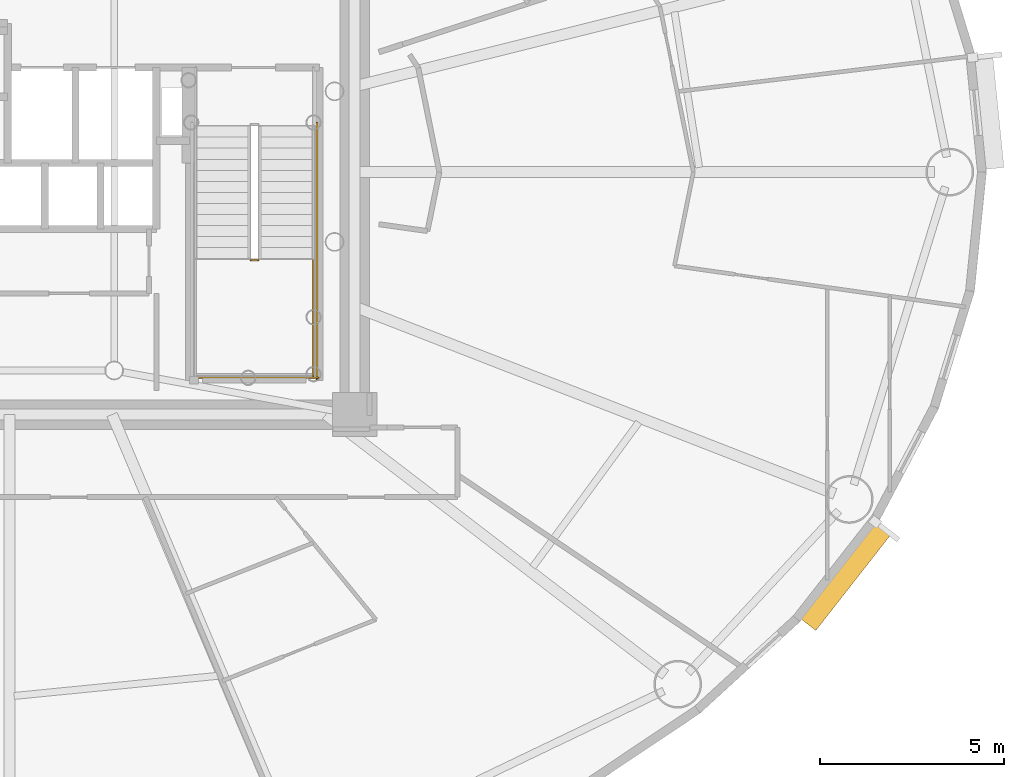
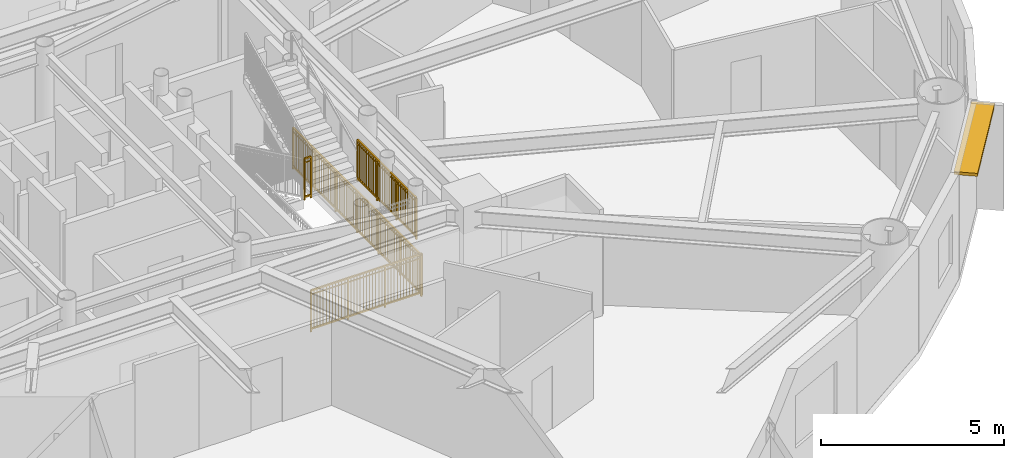
# One storey, part 16 of 18: 4 railings, 1 shading device.
"""IFC4 building model written with IfcOpenShell, lengths in metres."""

from ifc_helpers import new_model, si_unit, direction, frame, origin, origin_2d, place, context, subcontext, project, spatial, rectangle, extrude, source, transform, mapped, material, layer, layer_set, type_object, element, save


model = new_model("IFC4")

# Units and contexts
model_context = context("Model", 3, precision=1e-05, world=origin(), true_north=direction((0.0, 1.0)))
body_context = subcontext(model_context, "Body", "Model", "MODEL_VIEW")
ifc_project = project(units=[si_unit("LENGTHUNIT", "METRE"), si_unit("AREAUNIT", "SQUARE_METRE"), si_unit("VOLUMEUNIT", "CUBIC_METRE"), si_unit("PLANEANGLEUNIT", "RADIAN"), si_unit("MASSUNIT", "GRAM", prefix="KILO")], contexts=[model_context])

# Site, building, storey
site_placement = place(None, origin())
site = spatial("IfcSite", under=ifc_project, at=site_placement, CompositionType="ELEMENT")
building_placement = place(site_placement, origin())
building = spatial("IfcBuilding", under=site, at=building_placement, Name="Linh Dai School and Residence Tower", CompositionType="ELEMENT")
storey_placement = place(building_placement, frame((0.0, 0.0, 159.89990234375)))
storey = spatial("IfcBuildingStorey", under=building, at=storey_placement, Name="L38", CompositionType="ELEMENT", Elevation=159.89990234375)

# Shading device
ifc_material_1 = material(Name="Terracotta Ceramic Sunshade", Category="masonry")
ifc_layer = layer(ifc_material_1, 0.10009765625)
ifc_layer_set = layer_set([ifc_layer], Name="Terracotta Ceramic Sunshade")
shading_device_type = type_object("IfcShadingDeviceType", Name="SHD-TC-650", PredefinedType="USERDEFINED", material=ifc_layer_set)
shared_shape_1 = source(origin(), body_context, "Body", "SweptSolid", [
    extrude(rectangle(XDim=3.376708984375, YDim=0.64990234375, at=origin_2d()), origin(), (0.0, 0.0, 1.0), 0.10009765625),
])
shading_device_placement = place(storey_placement, frame((58.736572265625, 16.05078125, 3.380126953125), z_axis=(0.0, 0.0, 1.0), x_axis=(-0.616286337798, -0.787522158319, 0.0)))
element("IfcShadingDevice", 1, at=shading_device_placement, inside=storey, type_object=shading_device_type, Name="L38 Terracotta Horizontal Sunshade Band 37", ObjectType="SUNSHADE", PredefinedType="USERDEFINED", context=body_context, shape_type="MappedRepresentation", body=[
    mapped(shared_shape_1, transform((0.0, 0.0, 0.0), x_axis=(1.0, 0.0, 0.0), y_axis=(0.0, 1.0, 0.0), z_axis=(0.0, 0.0, 1.0), scale=1.0)),
])

# Railings
ifc_material_2 = material(Name="Structural Steel S355JR", Category="steel")
railing_type = type_object("IfcRailingType", Name="RL-ST-GUARD-1400", PredefinedType="GUARDRAIL", material=ifc_material_2)
shared_shape_2 = source(origin(), body_context, "Body", "SweptSolid", [
    extrude(rectangle(XDim=0.048095703125, YDim=0.048095703125, at=origin_2d()), frame((0.0, 0.0, 1.3759765625), z_axis=(1.0, 0.0, 0.0), x_axis=(0.0, 1.0, 0.0)), (0.0, 0.0, 1.0), 0.199951171875),
    extrude(rectangle(XDim=0.048095703125, YDim=0.048095703125, at=origin_2d()), frame((0.0, 0.0, 0.10009765625), z_axis=(1.0, 0.0, 0.0), x_axis=(0.0, 1.0, 0.0)), (0.0, 0.0, 1.0), 0.199951171875),
    extrude(rectangle(XDim=0.030029296875, YDim=0.030029296875, at=origin_2d()), frame((0.0, 0.0, 1.239990234375), z_axis=(1.0, 0.0, 0.0), x_axis=(0.0, 1.0, 0.0)), (0.0, 0.0, 1.0), 0.199951171875),
    extrude(rectangle(XDim=0.0419921875, YDim=0.0419921875, at=origin_2d()), origin(), (0.0, 0.0, 1.0), 1.3759765625),
    extrude(rectangle(XDim=0.0419921875, YDim=0.0419921875, at=origin_2d()), frame((0.199951171875, 0.0, 0.0)), (0.0, 0.0, 1.0), 1.3759765625),
])
railing_1_placement = place(storey_placement, frame((42.570068359375, 24.60009765625, 1.875)))
element("IfcRailing", 2, at=railing_1_placement, inside=storey, type_object=railing_type, Name="L38 ST2 stair guard 2", PredefinedType="GUARDRAIL", context=body_context, shape_type="MappedRepresentation", body=[
    mapped(shared_shape_2, transform((0.0, 0.0, 0.0), x_axis=(1.0, 0.0, 0.0), y_axis=(0.0, 1.0, 0.0), z_axis=(0.0, 0.0, 1.0), scale=1.0)),
])
shared_shape_3 = source(origin(), body_context, "Body", "SweptSolid", [
    extrude(rectangle(XDim=0.048095703125, YDim=0.048095703125, at=origin_2d()), frame((0.0, 0.0, 1.3759765625), z_axis=(0.0, -1.0, 0.0), x_axis=(1.0, 0.0, 0.0)), (0.0, 0.0, 1.0), 7.0),
    extrude(rectangle(XDim=0.048095703125, YDim=0.048095703125, at=origin_2d()), frame((0.0, 0.0, 0.10009765625), z_axis=(0.0, -1.0, 0.0), x_axis=(1.0, 0.0, 0.0)), (0.0, 0.0, 1.0), 7.0),
    extrude(rectangle(XDim=0.030029296875, YDim=0.030029296875, at=origin_2d()), frame((0.0, 0.0, 1.239990234375), z_axis=(0.0, -1.0, 0.0), x_axis=(1.0, 0.0, 0.0)), (0.0, 0.0, 1.0), 7.0),
    extrude(rectangle(XDim=0.02001953125, YDim=0.02001953125, at=origin_2d()), frame((0.0, -0.09716796875, 0.10009765625)), (0.0, 0.0, 1.0), 1.251708984375),
    extrude(rectangle(XDim=0.02001953125, YDim=0.02001953125, at=origin_2d()), frame((0.0, -0.1943359375, 0.10009765625)), (0.0, 0.0, 1.0), 1.251708984375),
    extrude(rectangle(XDim=0.02001953125, YDim=0.02001953125, at=origin_2d()), frame((0.0, -0.291748046875, 0.10009765625)), (0.0, 0.0, 1.0), 1.251708984375),
    extrude(rectangle(XDim=0.02001953125, YDim=0.02001953125, at=origin_2d()), frame((0.0, -0.388916015625, 0.10009765625)), (0.0, 0.0, 1.0), 1.251708984375),
    extrude(rectangle(XDim=0.02001953125, YDim=0.02001953125, at=origin_2d()), frame((0.0, -0.486083984375, 0.10009765625)), (0.0, 0.0, 1.0), 1.251708984375),
    extrude(rectangle(XDim=0.02001953125, YDim=0.02001953125, at=origin_2d()), frame((0.0, -0.583251953125, 0.10009765625)), (0.0, 0.0, 1.0), 1.251708984375),
    extrude(rectangle(XDim=0.02001953125, YDim=0.02001953125, at=origin_2d()), frame((0.0, -0.6806640625, 0.10009765625)), (0.0, 0.0, 1.0), 1.251708984375),
    extrude(rectangle(XDim=0.02001953125, YDim=0.02001953125, at=origin_2d()), frame((0.0, -0.77783203125, 0.10009765625)), (0.0, 0.0, 1.0), 1.251708984375),
    extrude(rectangle(XDim=0.02001953125, YDim=0.02001953125, at=origin_2d()), frame((0.0, -0.875, 0.10009765625)), (0.0, 0.0, 1.0), 1.251708984375),
    extrude(rectangle(XDim=0.02001953125, YDim=0.02001953125, at=origin_2d()), frame((0.0, -0.97216796875, 0.10009765625)), (0.0, 0.0, 1.0), 1.251708984375),
    extrude(rectangle(XDim=0.02001953125, YDim=0.02001953125, at=origin_2d()), frame((0.0, -1.0693359375, 0.10009765625)), (0.0, 0.0, 1.0), 1.251708984375),
    extrude(rectangle(XDim=0.02001953125, YDim=0.02001953125, at=origin_2d()), frame((0.0, -1.263916015625, 0.10009765625)), (0.0, 0.0, 1.0), 1.251708984375),
    extrude(rectangle(XDim=0.02001953125, YDim=0.02001953125, at=origin_2d()), frame((0.0, -1.361083984375, 0.10009765625)), (0.0, 0.0, 1.0), 1.251708984375),
    extrude(rectangle(XDim=0.02001953125, YDim=0.02001953125, at=origin_2d()), frame((0.0, -1.458251953125, 0.10009765625)), (0.0, 0.0, 1.0), 1.251708984375),
    extrude(rectangle(XDim=0.02001953125, YDim=0.02001953125, at=origin_2d()), frame((0.0, -1.5556640625, 0.10009765625)), (0.0, 0.0, 1.0), 1.251708984375),
    extrude(rectangle(XDim=0.02001953125, YDim=0.02001953125, at=origin_2d()), frame((0.0, -1.65283203125, 0.10009765625)), (0.0, 0.0, 1.0), 1.251708984375),
    extrude(rectangle(XDim=0.02001953125, YDim=0.02001953125, at=origin_2d()), frame((0.0, -1.75, 0.10009765625)), (0.0, 0.0, 1.0), 1.251708984375),
    extrude(rectangle(XDim=0.02001953125, YDim=0.02001953125, at=origin_2d()), frame((0.0, -1.84716796875, 0.10009765625)), (0.0, 0.0, 1.0), 1.251708984375),
    extrude(rectangle(XDim=0.02001953125, YDim=0.02001953125, at=origin_2d()), frame((0.0, -1.9443359375, 0.10009765625)), (0.0, 0.0, 1.0), 1.251708984375),
    extrude(rectangle(XDim=0.02001953125, YDim=0.02001953125, at=origin_2d()), frame((0.0, -2.041748046875, 0.10009765625)), (0.0, 0.0, 1.0), 1.251708984375),
    extrude(rectangle(XDim=0.02001953125, YDim=0.02001953125, at=origin_2d()), frame((0.0, -2.138916015625, 0.10009765625)), (0.0, 0.0, 1.0), 1.251708984375),
    extrude(rectangle(XDim=0.02001953125, YDim=0.02001953125, at=origin_2d()), frame((0.0, -2.236083984375, 0.10009765625)), (0.0, 0.0, 1.0), 1.251708984375),
    extrude(rectangle(XDim=0.02001953125, YDim=0.02001953125, at=origin_2d()), frame((0.0, -2.4306640625, 0.10009765625)), (0.0, 0.0, 1.0), 1.251708984375),
    extrude(rectangle(XDim=0.02001953125, YDim=0.02001953125, at=origin_2d()), frame((0.0, -2.52783203125, 0.10009765625)), (0.0, 0.0, 1.0), 1.251708984375),
    extrude(rectangle(XDim=0.02001953125, YDim=0.02001953125, at=origin_2d()), frame((0.0, -2.625, 0.10009765625)), (0.0, 0.0, 1.0), 1.251708984375),
    extrude(rectangle(XDim=0.02001953125, YDim=0.02001953125, at=origin_2d()), frame((0.0, -2.72216796875, 0.10009765625)), (0.0, 0.0, 1.0), 1.251708984375),
    extrude(rectangle(XDim=0.02001953125, YDim=0.02001953125, at=origin_2d()), frame((0.0, -2.8193359375, 0.10009765625)), (0.0, 0.0, 1.0), 1.251708984375),
    extrude(rectangle(XDim=0.02001953125, YDim=0.02001953125, at=origin_2d()), frame((0.0, -2.916748046875, 0.10009765625)), (0.0, 0.0, 1.0), 1.251708984375),
    extrude(rectangle(XDim=0.02001953125, YDim=0.02001953125, at=origin_2d()), frame((0.0, -3.013916015625, 0.10009765625)), (0.0, 0.0, 1.0), 1.251708984375),
    extrude(rectangle(XDim=0.02001953125, YDim=0.02001953125, at=origin_2d()), frame((0.0, -3.111083984375, 0.10009765625)), (0.0, 0.0, 1.0), 1.251708984375),
    extrude(rectangle(XDim=0.02001953125, YDim=0.02001953125, at=origin_2d()), frame((0.0, -3.208251953125, 0.10009765625)), (0.0, 0.0, 1.0), 1.251708984375),
    extrude(rectangle(XDim=0.02001953125, YDim=0.02001953125, at=origin_2d()), frame((0.0, -3.3056640625, 0.10009765625)), (0.0, 0.0, 1.0), 1.251708984375),
    extrude(rectangle(XDim=0.02001953125, YDim=0.02001953125, at=origin_2d()), frame((0.0, -3.40283203125, 0.10009765625)), (0.0, 0.0, 1.0), 1.251708984375),
    extrude(rectangle(XDim=0.02001953125, YDim=0.02001953125, at=origin_2d()), frame((0.0, -3.59716796875, 0.10009765625)), (0.0, 0.0, 1.0), 1.251708984375),
    extrude(rectangle(XDim=0.02001953125, YDim=0.02001953125, at=origin_2d()), frame((0.0, -3.6943359375, 0.10009765625)), (0.0, 0.0, 1.0), 1.251708984375),
    extrude(rectangle(XDim=0.02001953125, YDim=0.02001953125, at=origin_2d()), frame((0.0, -3.791748046875, 0.10009765625)), (0.0, 0.0, 1.0), 1.251708984375),
    extrude(rectangle(XDim=0.02001953125, YDim=0.02001953125, at=origin_2d()), frame((0.0, -3.888916015625, 0.10009765625)), (0.0, 0.0, 1.0), 1.251708984375),
    extrude(rectangle(XDim=0.02001953125, YDim=0.02001953125, at=origin_2d()), frame((0.0, -3.986083984375, 0.10009765625)), (0.0, 0.0, 1.0), 1.251708984375),
    extrude(rectangle(XDim=0.02001953125, YDim=0.02001953125, at=origin_2d()), frame((0.0, -4.083251953125, 0.10009765625)), (0.0, 0.0, 1.0), 1.251708984375),
    extrude(rectangle(XDim=0.02001953125, YDim=0.02001953125, at=origin_2d()), frame((0.0, -4.1806640625, 0.10009765625)), (0.0, 0.0, 1.0), 1.251708984375),
    extrude(rectangle(XDim=0.02001953125, YDim=0.02001953125, at=origin_2d()), frame((0.0, -4.27783203125, 0.10009765625)), (0.0, 0.0, 1.0), 1.251708984375),
    extrude(rectangle(XDim=0.02001953125, YDim=0.02001953125, at=origin_2d()), frame((0.0, -4.375, 0.10009765625)), (0.0, 0.0, 1.0), 1.251708984375),
    extrude(rectangle(XDim=0.02001953125, YDim=0.02001953125, at=origin_2d()), frame((0.0, -4.47216796875, 0.10009765625)), (0.0, 0.0, 1.0), 1.251708984375),
    extrude(rectangle(XDim=0.02001953125, YDim=0.02001953125, at=origin_2d()), frame((0.0, -4.5693359375, 0.10009765625)), (0.0, 0.0, 1.0), 1.251708984375),
    extrude(rectangle(XDim=0.02001953125, YDim=0.02001953125, at=origin_2d()), frame((0.0, -4.763916015625, 0.10009765625)), (0.0, 0.0, 1.0), 1.251708984375),
    extrude(rectangle(XDim=0.02001953125, YDim=0.02001953125, at=origin_2d()), frame((0.0, -4.861083984375, 0.10009765625)), (0.0, 0.0, 1.0), 1.251708984375),
    extrude(rectangle(XDim=0.02001953125, YDim=0.02001953125, at=origin_2d()), frame((0.0, -4.958251953125, 0.10009765625)), (0.0, 0.0, 1.0), 1.251708984375),
    extrude(rectangle(XDim=0.02001953125, YDim=0.02001953125, at=origin_2d()), frame((0.0, -5.0556640625, 0.10009765625)), (0.0, 0.0, 1.0), 1.251708984375),
    extrude(rectangle(XDim=0.02001953125, YDim=0.02001953125, at=origin_2d()), frame((0.0, -5.15283203125, 0.10009765625)), (0.0, 0.0, 1.0), 1.251708984375),
    extrude(rectangle(XDim=0.02001953125, YDim=0.02001953125, at=origin_2d()), frame((0.0, -5.25, 0.10009765625)), (0.0, 0.0, 1.0), 1.251708984375),
    extrude(rectangle(XDim=0.02001953125, YDim=0.02001953125, at=origin_2d()), frame((0.0, -5.34716796875, 0.10009765625)), (0.0, 0.0, 1.0), 1.251708984375),
    extrude(rectangle(XDim=0.02001953125, YDim=0.02001953125, at=origin_2d()), frame((0.0, -5.4443359375, 0.10009765625)), (0.0, 0.0, 1.0), 1.251708984375),
    extrude(rectangle(XDim=0.02001953125, YDim=0.02001953125, at=origin_2d()), frame((0.0, -5.541748046875, 0.10009765625)), (0.0, 0.0, 1.0), 1.251708984375),
    extrude(rectangle(XDim=0.02001953125, YDim=0.02001953125, at=origin_2d()), frame((0.0, -5.638916015625, 0.10009765625)), (0.0, 0.0, 1.0), 1.251708984375),
    extrude(rectangle(XDim=0.02001953125, YDim=0.02001953125, at=origin_2d()), frame((0.0, -5.736083984375, 0.10009765625)), (0.0, 0.0, 1.0), 1.251708984375),
    extrude(rectangle(XDim=0.02001953125, YDim=0.02001953125, at=origin_2d()), frame((0.0, -5.9306640625, 0.10009765625)), (0.0, 0.0, 1.0), 1.251708984375),
    extrude(rectangle(XDim=0.02001953125, YDim=0.02001953125, at=origin_2d()), frame((0.0, -6.02783203125, 0.10009765625)), (0.0, 0.0, 1.0), 1.251708984375),
    extrude(rectangle(XDim=0.02001953125, YDim=0.02001953125, at=origin_2d()), frame((0.0, -6.125, 0.10009765625)), (0.0, 0.0, 1.0), 1.251708984375),
    extrude(rectangle(XDim=0.02001953125, YDim=0.02001953125, at=origin_2d()), frame((0.0, -6.22216796875, 0.10009765625)), (0.0, 0.0, 1.0), 1.251708984375),
    extrude(rectangle(XDim=0.02001953125, YDim=0.02001953125, at=origin_2d()), frame((0.0, -6.3193359375, 0.10009765625)), (0.0, 0.0, 1.0), 1.251708984375),
    extrude(rectangle(XDim=0.02001953125, YDim=0.02001953125, at=origin_2d()), frame((0.0, -6.416748046875, 0.10009765625)), (0.0, 0.0, 1.0), 1.251708984375),
    extrude(rectangle(XDim=0.02001953125, YDim=0.02001953125, at=origin_2d()), frame((0.0, -6.513916015625, 0.10009765625)), (0.0, 0.0, 1.0), 1.251708984375),
    extrude(rectangle(XDim=0.02001953125, YDim=0.02001953125, at=origin_2d()), frame((0.0, -6.611083984375, 0.10009765625)), (0.0, 0.0, 1.0), 1.251708984375),
    extrude(rectangle(XDim=0.02001953125, YDim=0.02001953125, at=origin_2d()), frame((0.0, -6.708251953125, 0.10009765625)), (0.0, 0.0, 1.0), 1.251708984375),
    extrude(rectangle(XDim=0.02001953125, YDim=0.02001953125, at=origin_2d()), frame((0.0, -6.8056640625, 0.10009765625)), (0.0, 0.0, 1.0), 1.251708984375),
    extrude(rectangle(XDim=0.02001953125, YDim=0.02001953125, at=origin_2d()), frame((0.0, -6.90283203125, 0.10009765625)), (0.0, 0.0, 1.0), 1.251708984375),
    extrude(rectangle(XDim=0.0419921875, YDim=0.0419921875, at=origin_2d()), origin(), (0.0, 0.0, 1.0), 1.3759765625),
    extrude(rectangle(XDim=0.0419921875, YDim=0.0419921875, at=origin_2d()), frame((0.0, -1.166748046875, 0.0)), (0.0, 0.0, 1.0), 1.3759765625),
    extrude(rectangle(XDim=0.0419921875, YDim=0.0419921875, at=origin_2d()), frame((0.0, -2.333251953125, 0.0)), (0.0, 0.0, 1.0), 1.3759765625),
    extrude(rectangle(XDim=0.0419921875, YDim=0.0419921875, at=origin_2d()), frame((0.0, -3.5, 0.0)), (0.0, 0.0, 1.0), 1.3759765625),
    extrude(rectangle(XDim=0.0419921875, YDim=0.0419921875, at=origin_2d()), frame((0.0, -4.666748046875, 0.0)), (0.0, 0.0, 1.0), 1.3759765625),
    extrude(rectangle(XDim=0.0419921875, YDim=0.0419921875, at=origin_2d()), frame((0.0, -5.833251953125, 0.0)), (0.0, 0.0, 1.0), 1.3759765625),
    extrude(rectangle(XDim=0.0419921875, YDim=0.0419921875, at=origin_2d()), frame((0.0, -7.0, 0.0)), (0.0, 0.0, 1.0), 1.3759765625),
])
railing_2_placement = place(storey_placement, frame((44.3701171875, 28.35009765625, 0.0)))
element("IfcRailing", 3, at=railing_2_placement, inside=storey, type_object=railing_type, Name="L38 ST2 stair guard 11", PredefinedType="GUARDRAIL", context=body_context, shape_type="MappedRepresentation", body=[
    mapped(shared_shape_3, transform((0.0, 0.0, 0.0), x_axis=(1.0, 0.0, 0.0), y_axis=(0.0, 1.0, 0.0), z_axis=(0.0, 0.0, 1.0), scale=1.0)),
])
shared_shape_4 = source(origin(), body_context, "Body", "SweptSolid", [
    extrude(rectangle(XDim=0.048095703125, YDim=0.048095703125, at=origin_2d()), frame((0.0, 0.0, 1.3759765625), z_axis=(1.0, 0.0, 0.0), x_axis=(0.0, 1.0, 0.0)), (0.0, 0.0, 1.0), 3.5),
    extrude(rectangle(XDim=0.048095703125, YDim=0.048095703125, at=origin_2d()), frame((0.0, 0.0, 0.10009765625), z_axis=(1.0, 0.0, 0.0), x_axis=(0.0, 1.0, 0.0)), (0.0, 0.0, 1.0), 3.5),
    extrude(rectangle(XDim=0.030029296875, YDim=0.030029296875, at=origin_2d()), frame((0.0, 0.0, 1.239990234375), z_axis=(1.0, 0.0, 0.0), x_axis=(0.0, 1.0, 0.0)), (0.0, 0.0, 1.0), 3.5),
    extrude(rectangle(XDim=0.02001953125, YDim=0.02001953125, at=origin_2d()), frame((0.09716796875, 0.0, 0.10009765625)), (0.0, 0.0, 1.0), 1.251708984375),
    extrude(rectangle(XDim=0.02001953125, YDim=0.02001953125, at=origin_2d()), frame((0.1943359375, 0.0, 0.10009765625)), (0.0, 0.0, 1.0), 1.251708984375),
    extrude(rectangle(XDim=0.02001953125, YDim=0.02001953125, at=origin_2d()), frame((0.291748046875, 0.0, 0.10009765625)), (0.0, 0.0, 1.0), 1.251708984375),
    extrude(rectangle(XDim=0.02001953125, YDim=0.02001953125, at=origin_2d()), frame((0.388916015625, 0.0, 0.10009765625)), (0.0, 0.0, 1.0), 1.251708984375),
    extrude(rectangle(XDim=0.02001953125, YDim=0.02001953125, at=origin_2d()), frame((0.486083984375, 0.0, 0.10009765625)), (0.0, 0.0, 1.0), 1.251708984375),
    extrude(rectangle(XDim=0.02001953125, YDim=0.02001953125, at=origin_2d()), frame((0.583251953125, 0.0, 0.10009765625)), (0.0, 0.0, 1.0), 1.251708984375),
    extrude(rectangle(XDim=0.02001953125, YDim=0.02001953125, at=origin_2d()), frame((0.6806640625, 0.0, 0.10009765625)), (0.0, 0.0, 1.0), 1.251708984375),
    extrude(rectangle(XDim=0.02001953125, YDim=0.02001953125, at=origin_2d()), frame((0.77783203125, 0.0, 0.10009765625)), (0.0, 0.0, 1.0), 1.251708984375),
    extrude(rectangle(XDim=0.02001953125, YDim=0.02001953125, at=origin_2d()), frame((0.875, 0.0, 0.10009765625)), (0.0, 0.0, 1.0), 1.251708984375),
    extrude(rectangle(XDim=0.02001953125, YDim=0.02001953125, at=origin_2d()), frame((0.97216796875, 0.0, 0.10009765625)), (0.0, 0.0, 1.0), 1.251708984375),
    extrude(rectangle(XDim=0.02001953125, YDim=0.02001953125, at=origin_2d()), frame((1.0693359375, 0.0, 0.10009765625)), (0.0, 0.0, 1.0), 1.251708984375),
    extrude(rectangle(XDim=0.02001953125, YDim=0.02001953125, at=origin_2d()), frame((1.263916015625, 0.0, 0.10009765625)), (0.0, 0.0, 1.0), 1.251708984375),
    extrude(rectangle(XDim=0.02001953125, YDim=0.02001953125, at=origin_2d()), frame((1.361083984375, 0.0, 0.10009765625)), (0.0, 0.0, 1.0), 1.251708984375),
    extrude(rectangle(XDim=0.02001953125, YDim=0.02001953125, at=origin_2d()), frame((1.458251953125, 0.0, 0.10009765625)), (0.0, 0.0, 1.0), 1.251708984375),
    extrude(rectangle(XDim=0.02001953125, YDim=0.02001953125, at=origin_2d()), frame((1.5556640625, 0.0, 0.10009765625)), (0.0, 0.0, 1.0), 1.251708984375),
    extrude(rectangle(XDim=0.02001953125, YDim=0.02001953125, at=origin_2d()), frame((1.65283203125, 0.0, 0.10009765625)), (0.0, 0.0, 1.0), 1.251708984375),
    extrude(rectangle(XDim=0.02001953125, YDim=0.02001953125, at=origin_2d()), frame((1.75, 0.0, 0.10009765625)), (0.0, 0.0, 1.0), 1.251708984375),
    extrude(rectangle(XDim=0.02001953125, YDim=0.02001953125, at=origin_2d()), frame((1.84716796875, 0.0, 0.10009765625)), (0.0, 0.0, 1.0), 1.251708984375),
    extrude(rectangle(XDim=0.02001953125, YDim=0.02001953125, at=origin_2d()), frame((1.9443359375, 0.0, 0.10009765625)), (0.0, 0.0, 1.0), 1.251708984375),
    extrude(rectangle(XDim=0.02001953125, YDim=0.02001953125, at=origin_2d()), frame((2.041748046875, 0.0, 0.10009765625)), (0.0, 0.0, 1.0), 1.251708984375),
    extrude(rectangle(XDim=0.02001953125, YDim=0.02001953125, at=origin_2d()), frame((2.138916015625, 0.0, 0.10009765625)), (0.0, 0.0, 1.0), 1.251708984375),
    extrude(rectangle(XDim=0.02001953125, YDim=0.02001953125, at=origin_2d()), frame((2.236083984375, 0.0, 0.10009765625)), (0.0, 0.0, 1.0), 1.251708984375),
    extrude(rectangle(XDim=0.02001953125, YDim=0.02001953125, at=origin_2d()), frame((2.4306640625, 0.0, 0.10009765625)), (0.0, 0.0, 1.0), 1.251708984375),
    extrude(rectangle(XDim=0.02001953125, YDim=0.02001953125, at=origin_2d()), frame((2.52783203125, 0.0, 0.10009765625)), (0.0, 0.0, 1.0), 1.251708984375),
    extrude(rectangle(XDim=0.02001953125, YDim=0.02001953125, at=origin_2d()), frame((2.625, 0.0, 0.10009765625)), (0.0, 0.0, 1.0), 1.251708984375),
    extrude(rectangle(XDim=0.02001953125, YDim=0.02001953125, at=origin_2d()), frame((2.72216796875, 0.0, 0.10009765625)), (0.0, 0.0, 1.0), 1.251708984375),
    extrude(rectangle(XDim=0.02001953125, YDim=0.02001953125, at=origin_2d()), frame((2.8193359375, 0.0, 0.10009765625)), (0.0, 0.0, 1.0), 1.251708984375),
    extrude(rectangle(XDim=0.02001953125, YDim=0.02001953125, at=origin_2d()), frame((2.916748046875, 0.0, 0.10009765625)), (0.0, 0.0, 1.0), 1.251708984375),
    extrude(rectangle(XDim=0.02001953125, YDim=0.02001953125, at=origin_2d()), frame((3.013916015625, 0.0, 0.10009765625)), (0.0, 0.0, 1.0), 1.251708984375),
    extrude(rectangle(XDim=0.02001953125, YDim=0.02001953125, at=origin_2d()), frame((3.111083984375, 0.0, 0.10009765625)), (0.0, 0.0, 1.0), 1.251708984375),
    extrude(rectangle(XDim=0.02001953125, YDim=0.02001953125, at=origin_2d()), frame((3.208251953125, 0.0, 0.10009765625)), (0.0, 0.0, 1.0), 1.251708984375),
    extrude(rectangle(XDim=0.02001953125, YDim=0.02001953125, at=origin_2d()), frame((3.3056640625, 0.0, 0.10009765625)), (0.0, 0.0, 1.0), 1.251708984375),
    extrude(rectangle(XDim=0.02001953125, YDim=0.02001953125, at=origin_2d()), frame((3.40283203125, 0.0, 0.10009765625)), (0.0, 0.0, 1.0), 1.251708984375),
    extrude(rectangle(XDim=0.0419921875, YDim=0.0419921875, at=origin_2d()), origin(), (0.0, 0.0, 1.0), 1.3759765625),
    extrude(rectangle(XDim=0.0419921875, YDim=0.0419921875, at=origin_2d()), frame((1.166748046875, 0.0, 0.0)), (0.0, 0.0, 1.0), 1.3759765625),
    extrude(rectangle(XDim=0.0419921875, YDim=0.0419921875, at=origin_2d()), frame((2.333251953125, 0.0, 0.0)), (0.0, 0.0, 1.0), 1.3759765625),
    extrude(rectangle(XDim=0.0419921875, YDim=0.0419921875, at=origin_2d()), frame((3.5, 0.0, 0.0)), (0.0, 0.0, 1.0), 1.3759765625),
])
railing_3_placement = place(storey_placement, frame((40.919921875, 21.39990234375, 0.0)))
element("IfcRailing", 4, at=railing_3_placement, inside=storey, type_object=railing_type, Name="L38 ST2 stair guard 12", PredefinedType="GUARDRAIL", context=body_context, shape_type="MappedRepresentation", body=[
    mapped(shared_shape_4, transform((0.0, 0.0, 0.0), x_axis=(1.0, 0.0, 0.0), y_axis=(0.0, 1.0, 0.0), z_axis=(0.0, 0.0, 1.0), scale=1.0)),
])
shared_shape_5 = source(origin(), body_context, "Body", "SweptSolid", [
    extrude(rectangle(XDim=0.048095703125, YDim=0.048095703125, at=origin_2d()), frame((0.0, 0.0, 1.3759765625), z_axis=(0.0, -1.0, 0.0), x_axis=(1.0, 0.0, 0.0)), (0.0, 0.0, 1.0), 3.199951171875),
    extrude(rectangle(XDim=0.048095703125, YDim=0.048095703125, at=origin_2d()), frame((0.0, 0.0, 0.10009765625), z_axis=(0.0, -1.0, 0.0), x_axis=(1.0, 0.0, 0.0)), (0.0, 0.0, 1.0), 3.199951171875),
    extrude(rectangle(XDim=0.030029296875, YDim=0.030029296875, at=origin_2d()), frame((0.0, 0.0, 1.239990234375), z_axis=(0.0, -1.0, 0.0), x_axis=(1.0, 0.0, 0.0)), (0.0, 0.0, 1.0), 3.199951171875),
    extrude(rectangle(XDim=0.02001953125, YDim=0.02001953125, at=origin_2d()), frame((0.0, -0.096923828125, 0.10009765625)), (0.0, 0.0, 1.0), 1.251708984375),
    extrude(rectangle(XDim=0.02001953125, YDim=0.02001953125, at=origin_2d()), frame((0.0, -0.19384765625, 0.10009765625)), (0.0, 0.0, 1.0), 1.251708984375),
    extrude(rectangle(XDim=0.02001953125, YDim=0.02001953125, at=origin_2d()), frame((0.0, -0.291015625, 0.10009765625)), (0.0, 0.0, 1.0), 1.251708984375),
    extrude(rectangle(XDim=0.02001953125, YDim=0.02001953125, at=origin_2d()), frame((0.0, -0.387939453125, 0.10009765625)), (0.0, 0.0, 1.0), 1.251708984375),
    extrude(rectangle(XDim=0.02001953125, YDim=0.02001953125, at=origin_2d()), frame((0.0, -0.48486328125, 0.10009765625)), (0.0, 0.0, 1.0), 1.251708984375),
    extrude(rectangle(XDim=0.02001953125, YDim=0.02001953125, at=origin_2d()), frame((0.0, -0.581787109375, 0.10009765625)), (0.0, 0.0, 1.0), 1.251708984375),
    extrude(rectangle(XDim=0.02001953125, YDim=0.02001953125, at=origin_2d()), frame((0.0, -0.6787109375, 0.10009765625)), (0.0, 0.0, 1.0), 1.251708984375),
    extrude(rectangle(XDim=0.02001953125, YDim=0.02001953125, at=origin_2d()), frame((0.0, -0.775634765625, 0.10009765625)), (0.0, 0.0, 1.0), 1.251708984375),
    extrude(rectangle(XDim=0.02001953125, YDim=0.02001953125, at=origin_2d()), frame((0.0, -0.872802734375, 0.10009765625)), (0.0, 0.0, 1.0), 1.251708984375),
    extrude(rectangle(XDim=0.02001953125, YDim=0.02001953125, at=origin_2d()), frame((0.0, -0.9697265625, 0.10009765625)), (0.0, 0.0, 1.0), 1.251708984375),
    extrude(rectangle(XDim=0.02001953125, YDim=0.02001953125, at=origin_2d()), frame((0.0, -1.16357421875, 0.10009765625)), (0.0, 0.0, 1.0), 1.251708984375),
    extrude(rectangle(XDim=0.02001953125, YDim=0.02001953125, at=origin_2d()), frame((0.0, -1.260498046875, 0.10009765625)), (0.0, 0.0, 1.0), 1.251708984375),
    extrude(rectangle(XDim=0.02001953125, YDim=0.02001953125, at=origin_2d()), frame((0.0, -1.357666015625, 0.10009765625)), (0.0, 0.0, 1.0), 1.251708984375),
    extrude(rectangle(XDim=0.02001953125, YDim=0.02001953125, at=origin_2d()), frame((0.0, -1.45458984375, 0.10009765625)), (0.0, 0.0, 1.0), 1.251708984375),
    extrude(rectangle(XDim=0.02001953125, YDim=0.02001953125, at=origin_2d()), frame((0.0, -1.551513671875, 0.10009765625)), (0.0, 0.0, 1.0), 1.251708984375),
    extrude(rectangle(XDim=0.02001953125, YDim=0.02001953125, at=origin_2d()), frame((0.0, -1.6484375, 0.10009765625)), (0.0, 0.0, 1.0), 1.251708984375),
    extrude(rectangle(XDim=0.02001953125, YDim=0.02001953125, at=origin_2d()), frame((0.0, -1.745361328125, 0.10009765625)), (0.0, 0.0, 1.0), 1.251708984375),
    extrude(rectangle(XDim=0.02001953125, YDim=0.02001953125, at=origin_2d()), frame((0.0, -1.84228515625, 0.10009765625)), (0.0, 0.0, 1.0), 1.251708984375),
    extrude(rectangle(XDim=0.02001953125, YDim=0.02001953125, at=origin_2d()), frame((0.0, -1.939453125, 0.10009765625)), (0.0, 0.0, 1.0), 1.251708984375),
    extrude(rectangle(XDim=0.02001953125, YDim=0.02001953125, at=origin_2d()), frame((0.0, -2.036376953125, 0.10009765625)), (0.0, 0.0, 1.0), 1.251708984375),
    extrude(rectangle(XDim=0.02001953125, YDim=0.02001953125, at=origin_2d()), frame((0.0, -2.230224609375, 0.10009765625)), (0.0, 0.0, 1.0), 1.251708984375),
    extrude(rectangle(XDim=0.02001953125, YDim=0.02001953125, at=origin_2d()), frame((0.0, -2.3271484375, 0.10009765625)), (0.0, 0.0, 1.0), 1.251708984375),
    extrude(rectangle(XDim=0.02001953125, YDim=0.02001953125, at=origin_2d()), frame((0.0, -2.42431640625, 0.10009765625)), (0.0, 0.0, 1.0), 1.251708984375),
    extrude(rectangle(XDim=0.02001953125, YDim=0.02001953125, at=origin_2d()), frame((0.0, -2.521240234375, 0.10009765625)), (0.0, 0.0, 1.0), 1.251708984375),
    extrude(rectangle(XDim=0.02001953125, YDim=0.02001953125, at=origin_2d()), frame((0.0, -2.6181640625, 0.10009765625)), (0.0, 0.0, 1.0), 1.251708984375),
    extrude(rectangle(XDim=0.02001953125, YDim=0.02001953125, at=origin_2d()), frame((0.0, -2.715087890625, 0.10009765625)), (0.0, 0.0, 1.0), 1.251708984375),
    extrude(rectangle(XDim=0.02001953125, YDim=0.02001953125, at=origin_2d()), frame((0.0, -2.81201171875, 0.10009765625)), (0.0, 0.0, 1.0), 1.251708984375),
    extrude(rectangle(XDim=0.02001953125, YDim=0.02001953125, at=origin_2d()), frame((0.0, -2.908935546875, 0.10009765625)), (0.0, 0.0, 1.0), 1.251708984375),
    extrude(rectangle(XDim=0.02001953125, YDim=0.02001953125, at=origin_2d()), frame((0.0, -3.006103515625, 0.10009765625)), (0.0, 0.0, 1.0), 1.251708984375),
    extrude(rectangle(XDim=0.02001953125, YDim=0.02001953125, at=origin_2d()), frame((0.0, -3.10302734375, 0.10009765625)), (0.0, 0.0, 1.0), 1.251708984375),
    extrude(rectangle(XDim=0.0419921875, YDim=0.0419921875, at=origin_2d()), origin(), (0.0, 0.0, 1.0), 1.3759765625),
    extrude(rectangle(XDim=0.0419921875, YDim=0.0419921875, at=origin_2d()), frame((0.0, -1.066650390625, 0.0)), (0.0, 0.0, 1.0), 1.3759765625),
    extrude(rectangle(XDim=0.0419921875, YDim=0.0419921875, at=origin_2d()), frame((0.0, -2.13330078125, 0.0)), (0.0, 0.0, 1.0), 1.3759765625),
    extrude(rectangle(XDim=0.0419921875, YDim=0.0419921875, at=origin_2d()), frame((0.0, -3.199951171875, 0.0)), (0.0, 0.0, 1.0), 1.3759765625),
])
railing_4_placement = place(storey_placement, frame((44.27001953125, 24.64990234375, 1.875)))
element("IfcRailing", 5, at=railing_4_placement, inside=storey, type_object=railing_type, Name="L38 ST2 stair guard 4", PredefinedType="GUARDRAIL", context=body_context, shape_type="MappedRepresentation", body=[
    mapped(shared_shape_5, transform((0.0, 0.0, 0.0), x_axis=(1.0, 0.0, 0.0), y_axis=(0.0, 1.0, 0.0), z_axis=(0.0, 0.0, 1.0), scale=1.0)),
])

save(model, "model.ifc")
